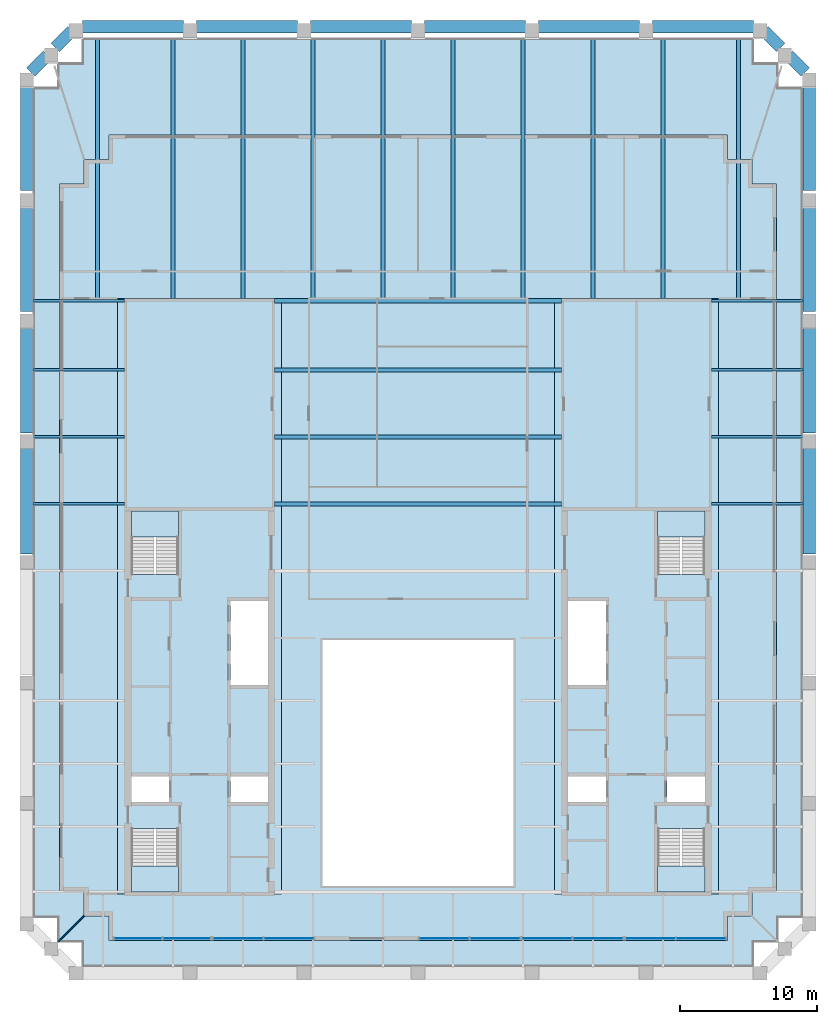
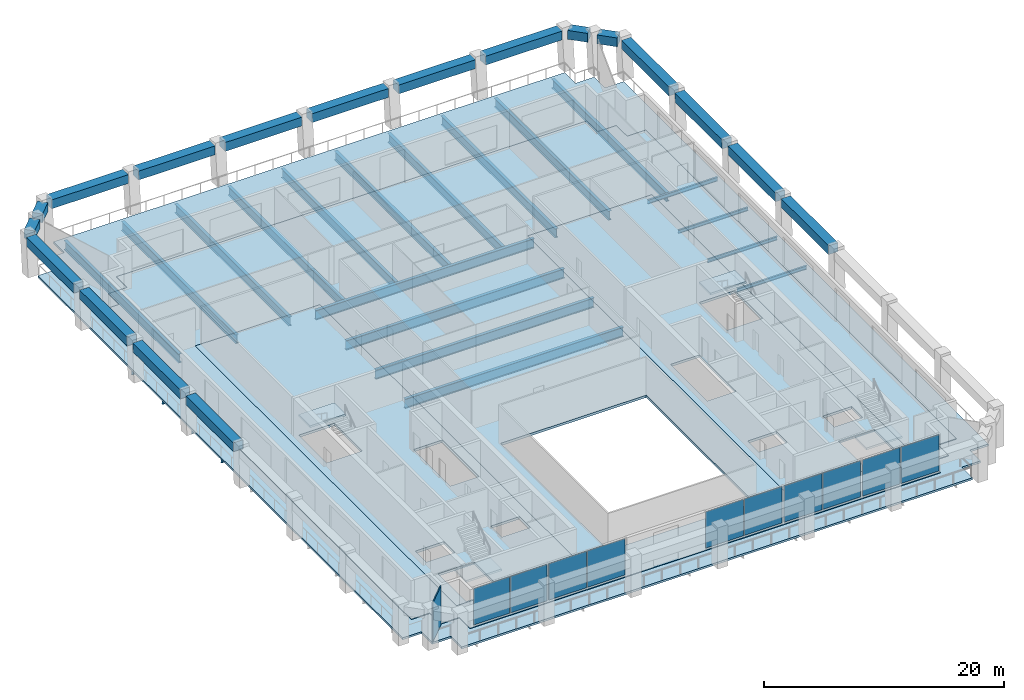
# One storey, part 4 of 10: 40 beams, 10 plates, 8 slabs, 1 wall, 9 elements without a shape of their own.
"""IFC4 building model written with IfcOpenShell, lengths in metres."""

from ifc_helpers import new_model, si_unit, direction, frame, frame_2d, origin, origin_2d, place, context, subcontext, project, spatial, polyline, rectangle, i_section, outline, extrude, material, layer, layer_set, material_profile, profile_set, type_object, element, aggregate, save


model = new_model("IFC4")

# Units and contexts
model_context = context("Model", 3, precision=1e-05, world=origin(), true_north=direction((0.0, 1.0)))
body_context = subcontext(model_context, "Body", "Model", "MODEL_VIEW")
ifc_project = project(units=[si_unit("LENGTHUNIT", "METRE"), si_unit("AREAUNIT", "SQUARE_METRE"), si_unit("VOLUMEUNIT", "CUBIC_METRE"), si_unit("PLANEANGLEUNIT", "RADIAN"), si_unit("MASSUNIT", "GRAM", prefix="KILO")], contexts=[model_context])

# Site, building, storey
site_placement = place(None, origin())
site = spatial("IfcSite", under=ifc_project, at=site_placement, CompositionType="ELEMENT")
building_placement = place(site_placement, origin())
building = spatial("IfcBuilding", under=site, at=building_placement, Name="Ogive Exchange Tower", CompositionType="ELEMENT")
storey_placement = place(building_placement, frame((0.0, 0.0, 359.39990234375)))
storey = spatial("IfcBuildingStorey", under=building, at=storey_placement, Name="L79", CompositionType="ELEMENT", Elevation=359.39990234375)

# Beams
ifc_material_1 = material(Name="Steel ASTM A992 Gr50", Category="steel")
ifc_material_profile_1 = material_profile(ifc_material_1, i_section(OverallWidth=0.300048828125, OverallDepth=0.97998046875, WebThickness=0.0166015625, FlangeThickness=0.026123046875, at=origin_2d()), Name="W1000x249")
ifc_profile_set_1 = profile_set([ifc_material_profile_1], Name="Steel ASTM A992 Gr50")
beam_type_1 = type_object("IfcBeamType", Name="Floor beam W1000x249", PredefinedType="JOIST", material=ifc_profile_set_1)
for number, where, z_axis, x_axis, name in (
    (1, (-10.52001953125, 25.968994140625, -0.739990234375), (1.0, 0.0, 0.0), (0.0, 1.0, 0.0), "Floor beam"),
    (2, (-10.52001953125, 30.8759765625, -0.739990234375), (1.0, 0.0, 0.0), (0.0, 1.0, 0.0), "Floor beam"),
    (3, (-10.52001953125, 35.782958984375, -0.739990234375), (1.0, 0.0, 0.0), (0.0, 1.0, 0.0), "Floor beam"),
):
    element("IfcBeam", number, at=place(storey_placement, frame(where, z_axis=z_axis, x_axis=x_axis)), inside=storey, type_object=beam_type_1, Name=name, PredefinedType="JOIST", context=body_context, shape_type="SweptSolid", body=[
        extrude(i_section(OverallWidth=0.300048828125, OverallDepth=0.97998046875, WebThickness=0.0166015625, FlangeThickness=0.026123046875, at=origin_2d()), origin(), (0.0, 0.0, 1.0), 21.0400390625),
    ])
ifc_material_profile_2 = material_profile(ifc_material_1, i_section(OverallWidth=0.1708984375, OverallDepth=0.35595703125, WebThickness=0.00732421875, FlangeThickness=0.01171875, at=origin_2d()), Name="W360x51")
ifc_profile_set_2 = profile_set([ifc_material_profile_2], Name="Steel ASTM A992 Gr50")
beam_type_2 = type_object("IfcBeamType", Name="Floor beam W360x51", PredefinedType="JOIST", material=ifc_profile_set_2)
for number, where, z_axis, x_axis, name in (
    (4, (-28.199951171875, 25.968994140625, -0.427978515625), (1.0, 0.0, 0.0), (0.0, 1.0, 0.0), "Floor beam"),
    (5, (21.47998046875, 25.968994140625, -0.427978515625), (1.0, 0.0, 0.0), (0.0, 1.0, 0.0), "Floor beam"),
    (6, (-28.199951171875, 30.8759765625, -0.427978515625), (1.0, 0.0, 0.0), (0.0, 1.0, 0.0), "Floor beam"),
    (7, (21.47998046875, 30.8759765625, -0.427978515625), (1.0, 0.0, 0.0), (0.0, 1.0, 0.0), "Floor beam"),
    (8, (-28.199951171875, 35.782958984375, -0.427978515625), (1.0, 0.0, 0.0), (0.0, 1.0, 0.0), "Floor beam"),
    (9, (21.47998046875, 35.782958984375, -0.427978515625), (1.0, 0.0, 0.0), (0.0, 1.0, 0.0), "Floor beam"),
):
    element("IfcBeam", number, at=place(storey_placement, frame(where, z_axis=z_axis, x_axis=x_axis)), inside=storey, type_object=beam_type_2, Name=name, PredefinedType="JOIST", context=body_context, shape_type="SweptSolid", body=[
        extrude(i_section(OverallWidth=0.1708984375, OverallDepth=0.35595703125, WebThickness=0.00732421875, FlangeThickness=0.01171875, at=origin_2d()), origin(), (0.0, 0.0, 1.0), 6.719970703125),
    ])
ifc_material_profile_3 = material_profile(ifc_material_1, i_section(OverallWidth=0.304931640625, OverallDepth=0.9189453125, WebThickness=0.017333984375, FlangeThickness=0.02783203125, at=origin_2d()), Name="W920x253")
ifc_profile_set_3 = profile_set([ifc_material_profile_3], Name="Steel ASTM A992 Gr50")
beam_type_3 = type_object("IfcBeamType", Name="Floor beam W920x253", PredefinedType="JOIST", material=ifc_profile_set_3)
beam_1_placement = place(storey_placement, frame((-23.47265625, 40.93408203125, -0.70947265625), z_axis=(0.0, 1.0, 0.0), x_axis=(-1.0, 0.0, 0.0)))
element("IfcBeam", 10, at=beam_1_placement, inside=storey, type_object=beam_type_3, Name="Floor beam", PredefinedType="JOIST", context=body_context, shape_type="SweptSolid", body=[
    extrude(i_section(OverallWidth=0.304931640625, OverallDepth=0.9189453125, WebThickness=0.017333984375, FlangeThickness=0.02783203125, at=origin_2d()), origin(), (0.0, 0.0, 1.0), 19.143310546875),
])
for number, where, z_axis, x_axis, name in (
    (11, (-17.945556640625, 41.0, -0.70947265625), (0.0, 1.0, 0.0), (-1.0, 0.0, 0.0), "Floor beam"),
    (12, (-12.818115234375, 41.0, -0.70947265625), (0.0, 1.0, 0.0), (-1.0, 0.0, 0.0), "Floor beam"),
):
    element("IfcBeam", number, at=place(storey_placement, frame(where, z_axis=z_axis, x_axis=x_axis)), inside=storey, type_object=beam_type_3, Name=name, PredefinedType="JOIST", context=body_context, shape_type="SweptSolid", body=[
        extrude(i_section(OverallWidth=0.304931640625, OverallDepth=0.9189453125, WebThickness=0.017333984375, FlangeThickness=0.02783203125, at=origin_2d()), origin(), (0.0, 0.0, 1.0), 19.077392578125),
    ])
for number, where, z_axis, x_axis, name in (
    (13, (-7.69091796875, 40.9951171875, -0.70947265625), (0.0, 1.0, 0.0), (-1.0, 0.0, 0.0), "Floor beam"),
    (14, (-2.563720703125, 40.9951171875, -0.70947265625), (0.0, 1.0, 0.0), (-1.0, 0.0, 0.0), "Floor beam"),
    (15, (2.563720703125, 40.9951171875, -0.70947265625), (0.0, 1.0, 0.0), (-1.0, 0.0, 0.0), "Floor beam"),
    (16, (7.69091796875, 40.9951171875, -0.70947265625), (0.0, 1.0, 0.0), (-1.0, 0.0, 0.0), "Floor beam"),
):
    element("IfcBeam", number, at=place(storey_placement, frame(where, z_axis=z_axis, x_axis=x_axis)), inside=storey, type_object=beam_type_3, Name=name, PredefinedType="JOIST", context=body_context, shape_type="SweptSolid", body=[
        extrude(i_section(OverallWidth=0.304931640625, OverallDepth=0.9189453125, WebThickness=0.017333984375, FlangeThickness=0.02783203125, at=origin_2d()), origin(), (0.0, 0.0, 1.0), 19.082275390625),
    ])
for number, where, z_axis, x_axis, name in (
    (17, (12.818115234375, 41.0, -0.70947265625), (0.0, 1.0, 0.0), (-1.0, 0.0, 0.0), "Floor beam"),
    (18, (17.945556640625, 41.0, -0.70947265625), (0.0, 1.0, 0.0), (-1.0, 0.0, 0.0), "Floor beam"),
):
    element("IfcBeam", number, at=place(storey_placement, frame(where, z_axis=z_axis, x_axis=x_axis)), inside=storey, type_object=beam_type_3, Name=name, PredefinedType="JOIST", context=body_context, shape_type="SweptSolid", body=[
        extrude(i_section(OverallWidth=0.304931640625, OverallDepth=0.9189453125, WebThickness=0.017333984375, FlangeThickness=0.02783203125, at=origin_2d()), origin(), (0.0, 0.0, 1.0), 19.077392578125),
    ])
beam_2_placement = place(storey_placement, frame((23.47265625, 40.93408203125, -0.70947265625), z_axis=(0.0, 1.0, 0.0), x_axis=(-1.0, 0.0, 0.0)))
element("IfcBeam", 19, at=beam_2_placement, inside=storey, type_object=beam_type_3, Name="Floor beam", PredefinedType="JOIST", context=body_context, shape_type="SweptSolid", body=[
    extrude(i_section(OverallWidth=0.304931640625, OverallDepth=0.9189453125, WebThickness=0.017333984375, FlangeThickness=0.02783203125, at=origin_2d()), origin(), (0.0, 0.0, 1.0), 19.143310546875),
])
ifc_material_profile_4 = material_profile(ifc_material_1, i_section(OverallWidth=0.300048828125, OverallDepth=0.97998046875, WebThickness=0.0166015625, FlangeThickness=0.026123046875, at=origin_2d()), Name="W1000x249")
ifc_profile_set_4 = profile_set([ifc_material_profile_4], Name="Steel ASTM A992 Gr50")
beam_type_4 = type_object("IfcBeamType", Name="Girder W1000x249", PredefinedType="BEAM", material=ifc_profile_set_4)
beam_3_placement = place(storey_placement, frame((-10.52001953125, 40.844970703125, -0.739990234375), z_axis=(1.0, 0.0, 0.0), x_axis=(0.0, 1.0, 0.0)))
element("IfcBeam", 20, at=beam_3_placement, inside=storey, type_object=beam_type_4, Name="Header girder", PredefinedType="BEAM", context=body_context, shape_type="SweptSolid", body=[
    extrude(i_section(OverallWidth=0.300048828125, OverallDepth=0.97998046875, WebThickness=0.0166015625, FlangeThickness=0.026123046875, at=origin_2d()), origin(), (0.0, 0.0, 1.0), 21.0400390625),
])
ifc_material_profile_5 = material_profile(ifc_material_1, i_section(OverallWidth=0.177978515625, OverallDepth=0.406005859375, WebThickness=0.0078125, FlangeThickness=0.0126953125, at=origin_2d()), Name="W410x60")
ifc_profile_set_5 = profile_set([ifc_material_profile_5], Name="Steel ASTM A992 Gr50")
beam_type_5 = type_object("IfcBeamType", Name="Girder W410x60", PredefinedType="BEAM", material=ifc_profile_set_5)
for number, where, z_axis, x_axis, name in (
    (21, (-28.199951171875, 40.844970703125, -0.452880859375), (1.0, 0.0, 0.0), (0.0, 1.0, 0.0), "Header girder"),
    (22, (21.47998046875, 40.844970703125, -0.452880859375), (1.0, 0.0, 0.0), (0.0, 1.0, 0.0), "Header girder"),
):
    element("IfcBeam", number, at=place(storey_placement, frame(where, z_axis=z_axis, x_axis=x_axis)), inside=storey, type_object=beam_type_5, Name=name, PredefinedType="BEAM", context=body_context, shape_type="SweptSolid", body=[
        extrude(i_section(OverallWidth=0.177978515625, OverallDepth=0.406005859375, WebThickness=0.0078125, FlangeThickness=0.0126953125, at=origin_2d()), origin(), (0.0, 0.0, 1.0), 6.719970703125),
    ])
ifc_material_2 = material(Name="Precast concrete C70/85 (limestone faced)", Category="masonry")
ifc_material_profile_6 = material_profile(ifc_material_2, rectangle(XDim=0.89990234375, YDim=0.89990234375, at=origin_2d()), Name="900 x 900")
ifc_profile_set_6 = profile_set([ifc_material_profile_6], Name="Precast concrete C70/85 (limestone faced)")
beam_type_6 = type_object("IfcBeamType", Name="Precast spandrel 900 x 900 C70/85", PredefinedType="SPANDREL", material=ifc_profile_set_6)
beam_4_placement = place(storey_placement, frame((28.64990234375, 22.298095703125, 3.5), z_axis=(0.0, 1.0, 0.0), x_axis=(-1.0, 0.0, 0.0)))
element("IfcBeam", 23, at=beam_4_placement, inside=storey, type_object=beam_type_6, Name="Spandrel 12", PredefinedType="SPANDREL", context=body_context, shape_type="SweptSolid", body=[
    extrude(rectangle(XDim=0.89990234375, YDim=0.89990234375, at=origin_2d()), origin(), (0.0, 0.0, 1.0), 7.912841796875),
])
for number, where, z_axis, x_axis, name in (
    (24, (28.64990234375, 31.1708984375, 3.5), (0.0, 1.0, 0.0), (-1.0, 0.0, 0.0), "Spandrel 13"),
    (25, (28.64990234375, 40.043701171875, 3.5), (0.0, 1.0, 0.0), (-1.0, 0.0, 0.0), "Spandrel 14"),
    (26, (28.64990234375, 48.91650390625, 3.5), (0.0, 1.0, 0.0), (-1.0, 0.0, 0.0), "Spandrel 15"),
):
    element("IfcBeam", number, at=place(storey_placement, frame(where, z_axis=z_axis, x_axis=x_axis)), inside=storey, type_object=beam_type_6, Name=name, PredefinedType="SPANDREL", context=body_context, shape_type="SweptSolid", body=[
        extrude(rectangle(XDim=0.89990234375, YDim=0.89990234375, at=origin_2d()), origin(), (0.0, 0.0, 1.0), 7.91259765625),
    ])
beam_5_placement = place(storey_placement, frame((28.362060546875, 57.596923828125, 3.5), z_axis=(-0.707036271462, 0.707177283881, 0.0), x_axis=(-0.707177283881, -0.707036271462, 0.0)))
element("IfcBeam", 27, at=beam_5_placement, inside=storey, type_object=beam_type_6, Name="Spandrel 16", PredefinedType="SPANDREL", context=body_context, shape_type="SweptSolid", body=[
    extrude(rectangle(XDim=0.89990234375, YDim=0.89990234375, at=origin_2d()), origin(), (0.0, 0.0, 1.0), 1.7314453125),
])
beam_6_placement = place(storey_placement, frame((26.56201171875, 59.39697265625, 3.5), z_axis=(-0.707106781187, 0.707106781187, 0.0), x_axis=(-0.707106781187, -0.707106781187, 0.0)))
element("IfcBeam", 28, at=beam_6_placement, inside=storey, type_object=beam_type_6, Name="Spandrel 17", PredefinedType="SPANDREL", context=body_context, shape_type="SweptSolid", body=[
    extrude(rectangle(XDim=0.89990234375, YDim=0.89990234375, at=origin_2d()), origin(), (0.0, 0.0, 1.0), 1.731201171875),
])
beam_7_placement = place(storey_placement, frame((24.570068359375, 60.9091796875, 3.5), z_axis=(-1.0, 0.0, 0.0), x_axis=(0.0, -1.0, 0.0)))
element("IfcBeam", 29, at=beam_7_placement, inside=storey, type_object=beam_type_6, Name="Spandrel 18", PredefinedType="SPANDREL", context=body_context, shape_type="SweptSolid", body=[
    extrude(rectangle(XDim=0.89990234375, YDim=0.89990234375, at=origin_2d()), origin(), (0.0, 0.0, 1.0), 7.39013671875),
])
beam_8_placement = place(storey_placement, frame((16.219970703125, 60.9091796875, 3.5), z_axis=(-1.0, 0.0, 0.0), x_axis=(0.0, -1.0, 0.0)))
element("IfcBeam", 30, at=beam_8_placement, inside=storey, type_object=beam_type_6, Name="Spandrel 19", PredefinedType="SPANDREL", context=body_context, shape_type="SweptSolid", body=[
    extrude(rectangle(XDim=0.89990234375, YDim=0.89990234375, at=origin_2d()), origin(), (0.0, 0.0, 1.0), 7.389892578125),
])
for number, where, z_axis, x_axis, name in (
    (31, (7.8701171875, 60.9091796875, 3.5), (-1.0, 0.0, 0.0), (0.0, -1.0, 0.0), "Spandrel 20"),
    (32, (-0.47998046875, 60.9091796875, 3.5), (-1.0, 0.0, 0.0), (0.0, -1.0, 0.0), "Spandrel 21"),
):
    element("IfcBeam", number, at=place(storey_placement, frame(where, z_axis=z_axis, x_axis=x_axis)), inside=storey, type_object=beam_type_6, Name=name, PredefinedType="SPANDREL", context=body_context, shape_type="SweptSolid", body=[
        extrude(rectangle(XDim=0.89990234375, YDim=0.89990234375, at=origin_2d()), origin(), (0.0, 0.0, 1.0), 7.39013671875),
    ])
beam_9_placement = place(storey_placement, frame((-8.830078125, 60.9091796875, 3.5), z_axis=(-1.0, 0.0, 0.0), x_axis=(0.0, -1.0, 0.0)))
element("IfcBeam", 33, at=beam_9_placement, inside=storey, type_object=beam_type_6, Name="Spandrel 22", PredefinedType="SPANDREL", context=body_context, shape_type="SweptSolid", body=[
    extrude(rectangle(XDim=0.89990234375, YDim=0.89990234375, at=origin_2d()), origin(), (0.0, 0.0, 1.0), 7.389892578125),
])
beam_10_placement = place(storey_placement, frame((-17.179931640625, 60.9091796875, 3.5), z_axis=(-1.0, 0.0, 0.0), x_axis=(0.0, -1.0, 0.0)))
element("IfcBeam", 34, at=beam_10_placement, inside=storey, type_object=beam_type_6, Name="Spandrel 23", PredefinedType="SPANDREL", context=body_context, shape_type="SweptSolid", body=[
    extrude(rectangle(XDim=0.89990234375, YDim=0.89990234375, at=origin_2d()), origin(), (0.0, 0.0, 1.0), 7.39013671875),
])
beam_11_placement = place(storey_placement, frame((-25.337890625, 60.62109375, 3.5), z_axis=(-0.707106781187, -0.707106781187, 0.0), x_axis=(0.707106781187, -0.707106781187, 0.0)))
element("IfcBeam", 35, at=beam_11_placement, inside=storey, type_object=beam_type_6, Name="Spandrel 24", PredefinedType="SPANDREL", context=body_context, shape_type="SweptSolid", body=[
    extrude(rectangle(XDim=0.89990234375, YDim=0.89990234375, at=origin_2d()), origin(), (0.0, 0.0, 1.0), 1.731201171875),
])
beam_12_placement = place(storey_placement, frame((-27.137939453125, 58.8212890625, 3.5), z_axis=(-0.707036271462, -0.707177283881, 0.0), x_axis=(0.707177283881, -0.707036271462, 0.0)))
element("IfcBeam", 36, at=beam_12_placement, inside=storey, type_object=beam_type_6, Name="Spandrel 25", PredefinedType="SPANDREL", context=body_context, shape_type="SweptSolid", body=[
    extrude(rectangle(XDim=0.89990234375, YDim=0.89990234375, at=origin_2d()), origin(), (0.0, 0.0, 1.0), 1.7314453125),
])
for number, where, z_axis, x_axis, name in (
    (37, (-28.64990234375, 56.8291015625, 3.5), (0.0, -1.0, 0.0), (1.0, 0.0, 0.0), "Spandrel 26"),
    (38, (-28.64990234375, 47.956298828125, 3.5), (0.0, -1.0, 0.0), (1.0, 0.0, 0.0), "Spandrel 27"),
    (39, (-28.64990234375, 39.08349609375, 3.5), (0.0, -1.0, 0.0), (1.0, 0.0, 0.0), "Spandrel 28"),
):
    element("IfcBeam", number, at=place(storey_placement, frame(where, z_axis=z_axis, x_axis=x_axis)), inside=storey, type_object=beam_type_6, Name=name, PredefinedType="SPANDREL", context=body_context, shape_type="SweptSolid", body=[
        extrude(rectangle(XDim=0.89990234375, YDim=0.89990234375, at=origin_2d()), origin(), (0.0, 0.0, 1.0), 7.91259765625),
    ])
beam_13_placement = place(storey_placement, frame((-28.64990234375, 30.2109375, 3.5), z_axis=(0.0, -1.0, 0.0), x_axis=(1.0, 0.0, 0.0)))
element("IfcBeam", 40, at=beam_13_placement, inside=storey, type_object=beam_type_6, Name="Spandrel 29", PredefinedType="SPANDREL", context=body_context, shape_type="SweptSolid", body=[
    extrude(rectangle(XDim=0.89990234375, YDim=0.89990234375, at=origin_2d()), origin(), (0.0, 0.0, 1.0), 7.912841796875),
])

# Slabs
ifc_material_3 = material(Name="Concrete C50/60", Category="concrete")
ifc_layer_1 = layer(ifc_material_3, 0.25)
ifc_layer_set_1 = layer_set([ifc_layer_1], Name="Composite floor slab 250")
slab_type_1 = type_object("IfcSlabType", Name="Composite floor slab 250", PredefinedType="FLOOR", material=ifc_layer_set_1)
slab_1_placement = place(storey_placement, frame((0.0, 0.0, -0.25)))
element("IfcSlab", 41, at=slab_1_placement, inside=storey, type_object=slab_type_1, Name="Composite floor slab", PredefinedType="FLOOR", context=body_context, shape_type="SweptSolid", body=[
    extrude(outline(polyline([(-22.64990234375, -4.199951171875), (-24.449951171875, -4.199951171875), (-24.449951171875, -2.39990234375), (-26.25, -2.39990234375), (-26.25, 49.39990234375), (-24.449951171875, 49.39990234375), (-24.449951171875, 51.199951171875), (-22.64990234375, 51.199951171875), (-22.64990234375, 53.0), (22.64990234375, 53.0), (22.64990234375, 51.199951171875), (24.449951171875, 51.199951171875), (24.449951171875, 49.39990234375), (26.25, 49.39990234375), (26.25, -2.39990234375), (24.449951171875, -2.39990234375), (24.449951171875, -4.199951171875), (22.64990234375, -4.199951171875), (22.64990234375, -6.0), (-22.64990234375, -6.0), (-22.64990234375, -4.199951171875)]), holes=[polyline([(7.0, -2.0), (7.0, 16.0), (-7.0, 16.0), (-7.0, -2.0), (7.0, -2.0)]), polyline([(-22.0, -2.60009765625), (-10.0, -2.60009765625), (-10.0, 41.0), (-22.0, 41.0), (-22.0, -2.60009765625)]), polyline([(10.0, -2.60009765625), (22.0, -2.60009765625), (22.0, 41.0), (10.0, 41.0), (10.0, -2.60009765625)])]), origin(), (0.0, 0.0, 1.0), 0.25),
])
ifc_material_4 = material(Name="Concrete C70/85", Category="concrete")
ifc_layer_2 = layer(ifc_material_4, 0.25)
ifc_layer_set_2 = layer_set([ifc_layer_2], Name="Core floor slab 250")
slab_type_2 = type_object("IfcSlabType", Name="Core floor slab 250", PredefinedType="FLOOR", material=ifc_layer_set_2)
slab_2_placement = place(storey_placement, frame((0.0, 0.0, -0.25)))
element("IfcSlab", 42, at=slab_2_placement, inside=storey, type_object=slab_type_2, Name="Core floor slab", PredefinedType="FLOOR", context=body_context, shape_type="SweptSolid", body=[
    extrude(outline(polyline([(-22.0, -2.60009765625), (-22.0, 41.0), (-10.0, 41.0), (-10.0, -2.60009765625), (-22.0, -2.60009765625)]), holes=[polyline([(-17.550048828125, 2.196044921875), (-21.0, 2.196044921875), (-21.0, -2.449951171875), (-17.550048828125, -2.449951171875), (-17.550048828125, 2.196044921875)]), polyline([(-21.0, 5.992919921875), (-21.0, 4.14990234375), (-18.25, 4.14990234375), (-18.25, 5.992919921875), (-21.0, 5.992919921875)]), polyline([(-13.75, 5.992919921875), (-13.75, 4.14990234375), (-11.0, 4.14990234375), (-11.0, 5.992919921875), (-13.75, 5.992919921875)]), polyline([(-11.0, 18.85009765625), (-13.75, 18.85009765625), (-13.75, 12.721435546875), (-11.0, 12.721435546875), (-11.0, 18.85009765625)]), polyline([(-21.0, 25.449951171875), (-21.0, 20.803955078125), (-17.550048828125, 20.803955078125), (-17.550048828125, 25.449951171875), (-21.0, 25.449951171875)])]), origin(), (0.0, 0.0, 1.0), 0.25),
])
slab_3_placement = place(storey_placement, frame((0.0, 0.0, -0.25)))
element("IfcSlab", 43, at=slab_3_placement, inside=storey, type_object=slab_type_2, Name="Core floor slab", PredefinedType="FLOOR", context=body_context, shape_type="SweptSolid", body=[
    extrude(outline(polyline([(10.0, -2.60009765625), (10.0, 41.0), (22.0, 41.0), (22.0, -2.60009765625), (10.0, -2.60009765625)]), holes=[polyline([(21.0, 2.196044921875), (17.550048828125, 2.196044921875), (17.550048828125, -2.449951171875), (21.0, -2.449951171875), (21.0, 2.196044921875)]), polyline([(11.0, 5.992919921875), (11.0, 4.14990234375), (13.75, 4.14990234375), (13.75, 5.992919921875), (11.0, 5.992919921875)]), polyline([(18.25, 5.992919921875), (18.25, 4.14990234375), (21.0, 4.14990234375), (21.0, 5.992919921875), (18.25, 5.992919921875)]), polyline([(13.75, 18.85009765625), (11.0, 18.85009765625), (11.0, 12.721435546875), (13.75, 12.721435546875), (13.75, 18.85009765625)]), polyline([(17.550048828125, 25.449951171875), (17.550048828125, 20.803955078125), (21.0, 20.803955078125), (21.0, 25.449951171875), (17.550048828125, 25.449951171875)])]), origin(), (0.0, 0.0, 1.0), 0.25),
])
ifc_layer_3 = layer(ifc_material_3, 0.199951171875)
ifc_layer_set_3 = layer_set([ifc_layer_3], Name="Loggia deck 200")
slab_type_3 = type_object("IfcSlabType", Name="Loggia deck 200", PredefinedType="FLOOR", material=ifc_layer_set_3)
slab_4_placement = place(storey_placement, frame((0.0, 0.0, -0.25)))
element("IfcSlab", 44, at=slab_4_placement, inside=storey, type_object=slab_type_3, Name="Loggia deck", PredefinedType="FLOOR", context=body_context, shape_type="SweptSolid", body=[
    extrude(outline(polyline([(-24.60009765625, -6.14990234375), (-26.39990234375, -6.14990234375), (-26.39990234375, -4.35009765625), (-28.199951171875, -4.35009765625), (-28.199951171875, 56.477294921875), (-26.39990234375, 56.477294921875), (-26.39990234375, 58.27734375), (-24.60009765625, 58.27734375), (-24.60009765625, 60.077392578125), (24.60009765625, 60.077392578125), (24.60009765625, 58.27734375), (26.39990234375, 58.27734375), (26.39990234375, 56.477294921875), (28.199951171875, 56.477294921875), (28.199951171875, -4.35009765625), (26.39990234375, -4.35009765625), (26.39990234375, -6.14990234375), (24.60009765625, -6.14990234375), (24.60009765625, -7.949951171875), (-24.60009765625, -7.949951171875), (-24.60009765625, -6.14990234375)]), holes=[polyline([(22.64990234375, -4.199951171875), (24.449951171875, -4.199951171875), (24.449951171875, -2.39990234375), (26.25, -2.39990234375), (26.25, 49.39990234375), (24.449951171875, 49.39990234375), (24.449951171875, 51.199951171875), (22.64990234375, 51.199951171875), (22.64990234375, 53.0), (-22.64990234375, 53.0), (-22.64990234375, 51.199951171875), (-24.449951171875, 51.199951171875), (-24.449951171875, 49.39990234375), (-26.25, 49.39990234375), (-26.25, -2.39990234375), (-24.449951171875, -2.39990234375), (-24.449951171875, -4.199951171875), (-22.64990234375, -4.199951171875), (-22.64990234375, -6.0), (22.64990234375, -6.0), (22.64990234375, -4.199951171875)])]), origin(), (0.0, 0.0, 1.0), 0.2001953125),
])

# Curtain wall, plates
ifc_material_5 = material(Name="Anodised aluminium and clear glass", Category="aluminium")
curtain_wall_type = type_object("IfcCurtainWallType", Name="Executive floor glazing", PredefinedType="NOTDEFINED", material=ifc_material_5)
curtain_wall_1_placement = place(storey_placement, origin())
curtain_wall_1 = element("IfcCurtainWall", 45, at=curtain_wall_1_placement, inside=storey, type_object=curtain_wall_type, Name="Executive floor glazing run G1", PredefinedType="NOTDEFINED")
ifc_material_6 = material(Name="Clear glass", Category="glass")
ifc_layer_4 = layer(ifc_material_6, 0.048095703125)
ifc_layer_set_4 = layer_set([ifc_layer_4], Name="Solar-control laminated glass panel 48")
plate_type = type_object("IfcPlateType", Name="Solar-control laminated glass panel 48", PredefinedType="CURTAIN_PANEL", material=ifc_layer_set_4)
plate_1_placement = place(storey_placement, frame((-20.512451171875, -5.85009765625, 0.10009765625), z_axis=(0.0, 0.0, 1.0), x_axis=(1.0, 0.0, 0.0)))
plate_1 = element("IfcPlate", 46, at=plate_1_placement, type_object=plate_type, Name="G1 panel 1.1", PredefinedType="CURTAIN_PANEL", context=body_context, shape_type="SweptSolid", body=[
    extrude(rectangle(XDim=3.47509765625, YDim=0.048095703125, at=origin_2d()), origin(), (0.0, 0.0, 1.0), 3.699951171875),
])
plate_2_placement = place(storey_placement, frame((-16.9375, -5.85009765625, 0.10009765625), z_axis=(0.0, 0.0, 1.0), x_axis=(1.0, 0.0, 0.0)))
plate_2 = element("IfcPlate", 47, at=plate_2_placement, type_object=plate_type, Name="G1 panel 2.1", PredefinedType="CURTAIN_PANEL", context=body_context, shape_type="SweptSolid", body=[
    extrude(rectangle(XDim=3.47509765625, YDim=0.048095703125, at=origin_2d()), origin(), (0.0, 0.0, 1.0), 3.699951171875),
])
aggregate(curtain_wall_1, [plate_1, plate_2])

curtain_wall_2_placement = place(storey_placement, origin())
curtain_wall_2 = element("IfcCurtainWall", 48, at=curtain_wall_2_placement, inside=storey, type_object=curtain_wall_type, Name="Executive floor glazing run G2", PredefinedType="NOTDEFINED")
plate_3_placement = place(storey_placement, frame((-13.1875, -5.85009765625, 0.10009765625), z_axis=(0.0, 0.0, 1.0), x_axis=(1.0, 0.0, 0.0)))
plate_3 = element("IfcPlate", 49, at=plate_3_placement, type_object=plate_type, Name="G2 panel 1.1", PredefinedType="CURTAIN_PANEL", context=body_context, shape_type="SweptSolid", body=[
    extrude(rectangle(XDim=3.625, YDim=0.048095703125, at=origin_2d()), origin(), (0.0, 0.0, 1.0), 3.699951171875),
])
plate_4_placement = place(storey_placement, frame((-9.46240234375, -5.85009765625, 0.10009765625), z_axis=(0.0, 0.0, 1.0), x_axis=(1.0, 0.0, 0.0)))
plate_4 = element("IfcPlate", 50, at=plate_4_placement, type_object=plate_type, Name="G2 panel 2.1", PredefinedType="CURTAIN_PANEL", context=body_context, shape_type="SweptSolid", body=[
    extrude(rectangle(XDim=3.625, YDim=0.048095703125, at=origin_2d()), origin(), (0.0, 0.0, 1.0), 3.699951171875),
])
aggregate(curtain_wall_2, [plate_3, plate_4])

curtain_wall_3_placement = place(storey_placement, origin())
curtain_wall_3 = element("IfcCurtainWall", 51, at=curtain_wall_3_placement, inside=storey, type_object=curtain_wall_type, Name="Executive floor glazing run G4", PredefinedType="NOTDEFINED")
plate_5_placement = place(storey_placement, frame((1.91259765625, -5.85009765625, 0.10009765625), z_axis=(0.0, 0.0, 1.0), x_axis=(1.0, 0.0, 0.0)))
plate_5 = element("IfcPlate", 52, at=plate_5_placement, type_object=plate_type, Name="G4 panel 1.1", PredefinedType="CURTAIN_PANEL", context=body_context, shape_type="SweptSolid", body=[
    extrude(rectangle(XDim=3.625, YDim=0.048095703125, at=origin_2d()), origin(), (0.0, 0.0, 1.0), 3.699951171875),
])
plate_6_placement = place(storey_placement, frame((5.637451171875, -5.85009765625, 0.10009765625), z_axis=(0.0, 0.0, 1.0), x_axis=(1.0, 0.0, 0.0)))
plate_6 = element("IfcPlate", 53, at=plate_6_placement, type_object=plate_type, Name="G4 panel 2.1", PredefinedType="CURTAIN_PANEL", context=body_context, shape_type="SweptSolid", body=[
    extrude(rectangle(XDim=3.625, YDim=0.048095703125, at=origin_2d()), origin(), (0.0, 0.0, 1.0), 3.699951171875),
])
aggregate(curtain_wall_3, [plate_5, plate_6])

curtain_wall_4_placement = place(storey_placement, origin())
curtain_wall_4 = element("IfcCurtainWall", 54, at=curtain_wall_4_placement, inside=storey, type_object=curtain_wall_type, Name="Executive floor glazing run G5", PredefinedType="NOTDEFINED")
plate_7_placement = place(storey_placement, frame((9.46240234375, -5.85009765625, 0.10009765625), z_axis=(0.0, 0.0, 1.0), x_axis=(1.0, 0.0, 0.0)))
plate_7 = element("IfcPlate", 55, at=plate_7_placement, type_object=plate_type, Name="G5 panel 1.1", PredefinedType="CURTAIN_PANEL", context=body_context, shape_type="SweptSolid", body=[
    extrude(rectangle(XDim=3.625, YDim=0.048095703125, at=origin_2d()), origin(), (0.0, 0.0, 1.0), 3.699951171875),
])
plate_8_placement = place(storey_placement, frame((13.1875, -5.85009765625, 0.10009765625), z_axis=(0.0, 0.0, 1.0), x_axis=(1.0, 0.0, 0.0)))
plate_8 = element("IfcPlate", 56, at=plate_8_placement, type_object=plate_type, Name="G5 panel 2.1", PredefinedType="CURTAIN_PANEL", context=body_context, shape_type="SweptSolid", body=[
    extrude(rectangle(XDim=3.625, YDim=0.048095703125, at=origin_2d()), origin(), (0.0, 0.0, 1.0), 3.699951171875),
])
aggregate(curtain_wall_4, [plate_7, plate_8])

curtain_wall_5_placement = place(storey_placement, origin())
curtain_wall_5 = element("IfcCurtainWall", 57, at=curtain_wall_5_placement, inside=storey, type_object=curtain_wall_type, Name="Executive floor glazing run G6", PredefinedType="NOTDEFINED")
plate_9_placement = place(storey_placement, frame((17.012451171875, -5.85009765625, 0.10009765625), z_axis=(0.0, 0.0, 1.0), x_axis=(1.0, 0.0, 0.0)))
plate_9 = element("IfcPlate", 58, at=plate_9_placement, type_object=plate_type, Name="G6 panel 1.1", PredefinedType="CURTAIN_PANEL", context=body_context, shape_type="SweptSolid", body=[
    extrude(rectangle(XDim=3.625, YDim=0.048095703125, at=origin_2d()), origin(), (0.0, 0.0, 1.0), 3.699951171875),
])
plate_10_placement = place(storey_placement, frame((20.737548828125, -5.85009765625, 0.10009765625), z_axis=(0.0, 0.0, 1.0), x_axis=(1.0, 0.0, 0.0)))
plate_10 = element("IfcPlate", 59, at=plate_10_placement, type_object=plate_type, Name="G6 panel 2.1", PredefinedType="CURTAIN_PANEL", context=body_context, shape_type="SweptSolid", body=[
    extrude(rectangle(XDim=3.625, YDim=0.048095703125, at=origin_2d()), origin(), (0.0, 0.0, 1.0), 3.699951171875),
])
aggregate(curtain_wall_5, [plate_9, plate_10])

# Stair, slab
ifc_material_7 = material(Name="Concrete C40/50", Category="concrete")
stair_type = type_object("IfcStairType", Name="Exit stair 1650 wide", PredefinedType="HALF_TURN_STAIR", material=ifc_material_7)
stair_1_placement = place(storey_placement, origin())
stair_1 = element("IfcStair", 60, at=stair_1_placement, inside=storey, type_object=stair_type, Name="L79 exit stair ST1", PredefinedType="HALF_TURN_STAIR")
ifc_layer_5 = layer(ifc_material_7, 0.199951171875)
ifc_layer_set_5 = layer_set([ifc_layer_5], Name="Stair landing 200 slab")
slab_type_4 = type_object("IfcSlabType", Name="Stair landing 200 slab", PredefinedType="LANDING", material=ifc_layer_set_5)
slab_5_placement = place(storey_placement, frame((0.0, 0.0, 1.900146484375)))
slab_5 = element("IfcSlab", 61, at=slab_5_placement, type_object=slab_type_4, Name="ST1 landing 1", PredefinedType="LANDING", context=body_context, shape_type="SweptSolid", body=[
    extrude(outline(polyline([(-21.0, -0.550048828125), (-21.0, -2.449951171875), (-17.550048828125, -2.449951171875), (-17.550048828125, -0.550048828125), (-21.0, -0.550048828125)])), origin(), (0.0, 0.0, 1.0), 0.199951171875),
])
aggregate(stair_1, [slab_5])

stair_2_placement = place(storey_placement, origin())
stair_2 = element("IfcStair", 62, at=stair_2_placement, inside=storey, type_object=stair_type, Name="L79 exit stair ST2", PredefinedType="HALF_TURN_STAIR")
slab_6_placement = place(storey_placement, frame((0.0, 0.0, 1.900146484375)))
slab_6 = element("IfcSlab", 63, at=slab_6_placement, type_object=slab_type_4, Name="ST2 landing 1", PredefinedType="LANDING", context=body_context, shape_type="SweptSolid", body=[
    extrude(outline(polyline([(-17.550048828125, 23.550048828125), (-17.550048828125, 25.449951171875), (-21.0, 25.449951171875), (-21.0, 23.550048828125), (-17.550048828125, 23.550048828125)])), origin(), (0.0, 0.0, 1.0), 0.199951171875),
])
aggregate(stair_2, [slab_6])

stair_3_placement = place(storey_placement, origin())
stair_3 = element("IfcStair", 64, at=stair_3_placement, inside=storey, type_object=stair_type, Name="L79 exit stair ST3", PredefinedType="HALF_TURN_STAIR")
slab_7_placement = place(storey_placement, frame((0.0, 0.0, 1.900146484375)))
slab_7 = element("IfcSlab", 65, at=slab_7_placement, type_object=slab_type_4, Name="ST3 landing 1", PredefinedType="LANDING", context=body_context, shape_type="SweptSolid", body=[
    extrude(outline(polyline([(17.550048828125, -0.550048828125), (17.550048828125, -2.449951171875), (21.0, -2.449951171875), (21.0, -0.550048828125), (17.550048828125, -0.550048828125)])), origin(), (0.0, 0.0, 1.0), 0.199951171875),
])
aggregate(stair_3, [slab_7])

stair_4_placement = place(storey_placement, origin())
stair_4 = element("IfcStair", 66, at=stair_4_placement, inside=storey, type_object=stair_type, Name="L79 exit stair ST4", PredefinedType="HALF_TURN_STAIR")
slab_8_placement = place(storey_placement, frame((0.0, 0.0, 1.900146484375)))
slab_8 = element("IfcSlab", 67, at=slab_8_placement, type_object=slab_type_4, Name="ST4 landing 1", PredefinedType="LANDING", context=body_context, shape_type="SweptSolid", body=[
    extrude(outline(polyline([(21.0, 23.550048828125), (21.0, 25.449951171875), (17.550048828125, 25.449951171875), (17.550048828125, 23.550048828125), (21.0, 23.550048828125)])), origin(), (0.0, 0.0, 1.0), 0.199951171875),
])
aggregate(stair_4, [slab_8])

# Wall
ifc_material_8 = material(Name="Laminated safety glass in steel frame", Category="steel")
ifc_layer_6 = layer(ifc_material_8, 0.10009765625)
ifc_layer_set_6 = layer_set([ifc_layer_6], Name="Loggia end screen 100")
wall_type = type_object("IfcWallType", Name="Loggia end screen 100", PredefinedType="STANDARD", material=ifc_layer_set_6)
wall_placement = place(storey_placement, frame((-24.449951171875, -4.199951171875, -0.0498046875), z_axis=(0.0, 0.0, 1.0), x_axis=(-0.707106781187, -0.707106781187, 0.0)))
element("IfcWall", 68, at=wall_placement, inside=storey, type_object=wall_type, Name="Loggia end screen C4", PredefinedType="STANDARD", context=body_context, shape_type="SweptSolid", body=[
    extrude(rectangle(XDim=2.667236328125, YDim=0.10009765625, at=frame_2d((1.33349609375, 0.0))), origin(), (0.0, 0.0, 1.0), 3.949951171875),
])

save(model, "model.ifc")
